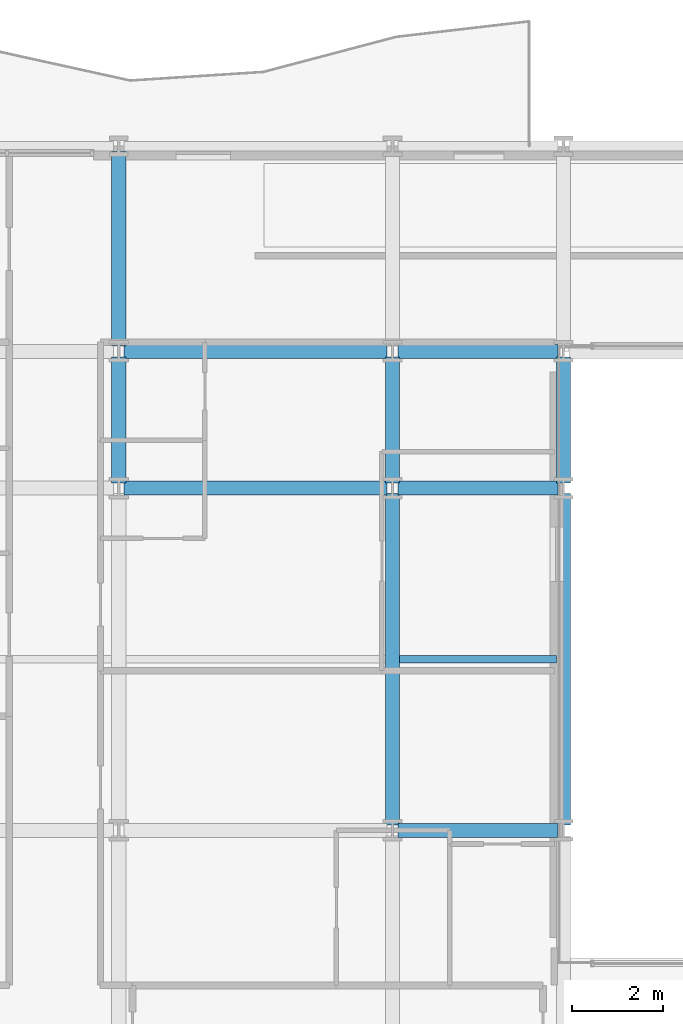
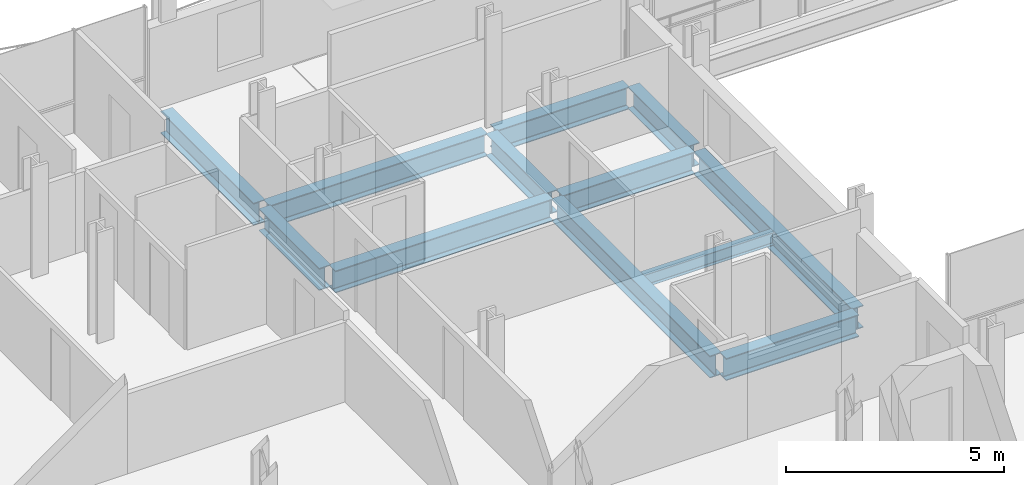
# One storey, part 8 of 41: 12 beams.
"""IFC4 building model written with IfcOpenShell, lengths in metres."""

from ifc_helpers import new_model, si_unit, direction, frame, origin, origin_2d, place, context, subcontext, project, spatial, i_section, extrude, material, material_profile, profile_set, type_object, element, save


model = new_model("IFC4")

# Units and contexts
model_context = context("Model", 3, precision=1e-05, world=origin(), true_north=direction((0.0, 1.0)))
body_context = subcontext(model_context, "Body", "Model", "MODEL_VIEW")
ifc_project = project(units=[si_unit("LENGTHUNIT", "METRE"), si_unit("AREAUNIT", "SQUARE_METRE"), si_unit("VOLUMEUNIT", "CUBIC_METRE"), si_unit("PLANEANGLEUNIT", "RADIAN"), si_unit("MASSUNIT", "GRAM", prefix="KILO")], contexts=[model_context])

# Site, building, storey
site_placement = place(None, origin())
site = spatial("IfcSite", under=ifc_project, at=site_placement, CompositionType="ELEMENT")
building_placement = place(site_placement, origin())
building = spatial("IfcBuilding", under=site, at=building_placement, Name="Brevholm Reach", CompositionType="ELEMENT")
storey_placement = place(building_placement, frame((0.0, 0.0, 49.699951171875)))
storey = spatial("IfcBuildingStorey", under=building, at=storey_placement, Name="L13", CompositionType="ELEMENT", Elevation=49.699951171875)

# Beams
ifc_material_1 = material(Name="Structural Steel S355J2", Category="steel")
ifc_material_profile_1 = material_profile(ifc_material_1, i_section(OverallWidth=0.17138671875, OverallDepth=0.35498046875, WebThickness=0.00732421875, FlangeThickness=0.011474609375, FilletRadius=0.01025390625, at=origin_2d()), Name="UKB 356x171x51")
ifc_profile_set_1 = profile_set([ifc_material_profile_1], Name="Structural Steel S355J2")
beam_type_1 = type_object("IfcBeamType", Name="BM-B356", PredefinedType="BEAM", material=ifc_profile_set_1)
beam_1_placement = place(storey_placement, frame((18.153564453125, 19.75, -0.407470703125), z_axis=(1.0, 0.0, 0.0), x_axis=(0.0, 1.0, 0.0)))
element("IfcBeam", 1, at=beam_1_placement, inside=storey, type_object=beam_type_1, Name="L13 Composite Secondary Floor Beam", PredefinedType="BEAM", context=body_context, shape_type="SweptSolid", body=[
    extrude(i_section(OverallWidth=0.17138671875, OverallDepth=0.35498046875, WebThickness=0.00732421875, FlangeThickness=0.011474609375, FilletRadius=0.01025390625, at=origin_2d()), origin(), (0.0, 0.0, 1.0), 3.44287109375),
])
ifc_material_2 = material(Name="Structural Steel S355J2", Category="steel")
ifc_material_profile_2 = material_profile(ifc_material_2, i_section(OverallWidth=0.30712890625, OverallDepth=0.6201171875, WebThickness=0.01416015625, FlangeThickness=0.023681640625, FilletRadius=0.0166015625, at=origin_2d()), Name="UKB 610x305x179")
ifc_profile_set_2 = profile_set([ifc_material_profile_2], Name="Structural Steel S355J2")
beam_type_2 = type_object("IfcBeamType", Name="BM-UKB610H", PredefinedType="USERDEFINED", material=ifc_profile_set_2)
beam_2_placement = place(storey_placement, frame((18.1201171875, 16.0, -0.5400390625), z_axis=(1.0, 0.0, 0.0), x_axis=(0.0, 1.0, 0.0)))
element("IfcBeam", 2, at=beam_2_placement, inside=storey, type_object=beam_type_2, Name="L13 G-06 Framing Beam", ObjectType="GIRDER", PredefinedType="USERDEFINED", context=body_context, shape_type="SweptSolid", body=[
    extrude(i_section(OverallWidth=0.30712890625, OverallDepth=0.6201171875, WebThickness=0.01416015625, FlangeThickness=0.023681640625, FilletRadius=0.0166015625, at=origin_2d()), origin(), (0.0, 0.0, 1.0), 3.509765625),
])
beam_3_placement = place(storey_placement, frame((12.1201171875, 23.5, -0.5400390625), z_axis=(1.0, 0.0, 0.0), x_axis=(0.0, 1.0, 0.0)))
element("IfcBeam", 3, at=beam_3_placement, inside=storey, type_object=beam_type_2, Name="L13 G-06 Framing Beam", ObjectType="GIRDER", PredefinedType="USERDEFINED", context=body_context, shape_type="SweptSolid", body=[
    extrude(i_section(OverallWidth=0.30712890625, OverallDepth=0.6201171875, WebThickness=0.01416015625, FlangeThickness=0.023681640625, FilletRadius=0.0166015625, at=origin_2d()), origin(), (0.0, 0.0, 1.0), 5.759765625),
])
beam_4_placement = place(storey_placement, frame((18.1201171875, 23.5, -0.5400390625), z_axis=(1.0, 0.0, 0.0), x_axis=(0.0, 1.0, 0.0)))
element("IfcBeam", 4, at=beam_4_placement, inside=storey, type_object=beam_type_2, Name="L13 G-06 Framing Beam", ObjectType="GIRDER", PredefinedType="USERDEFINED", context=body_context, shape_type="SweptSolid", body=[
    extrude(i_section(OverallWidth=0.30712890625, OverallDepth=0.6201171875, WebThickness=0.01416015625, FlangeThickness=0.023681640625, FilletRadius=0.0166015625, at=origin_2d()), origin(), (0.0, 0.0, 1.0), 3.509765625),
])
beam_5_placement = place(storey_placement, frame((12.1201171875, 26.5, -0.5400390625), z_axis=(1.0, 0.0, 0.0), x_axis=(0.0, 1.0, 0.0)))
element("IfcBeam", 5, at=beam_5_placement, inside=storey, type_object=beam_type_2, Name="L13 G-06 Framing Beam", ObjectType="GIRDER", PredefinedType="USERDEFINED", context=body_context, shape_type="SweptSolid", body=[
    extrude(i_section(OverallWidth=0.30712890625, OverallDepth=0.6201171875, WebThickness=0.01416015625, FlangeThickness=0.023681640625, FilletRadius=0.0166015625, at=origin_2d()), origin(), (0.0, 0.0, 1.0), 5.759765625),
])
beam_6_placement = place(storey_placement, frame((18.1201171875, 26.5, -0.5400390625), z_axis=(1.0, 0.0, 0.0), x_axis=(0.0, 1.0, 0.0)))
element("IfcBeam", 6, at=beam_6_placement, inside=storey, type_object=beam_type_2, Name="L13 G-06 Framing Beam", ObjectType="GIRDER", PredefinedType="USERDEFINED", context=body_context, shape_type="SweptSolid", body=[
    extrude(i_section(OverallWidth=0.30712890625, OverallDepth=0.6201171875, WebThickness=0.01416015625, FlangeThickness=0.023681640625, FilletRadius=0.0166015625, at=origin_2d()), origin(), (0.0, 0.0, 1.0), 3.509765625),
])
beam_7_placement = place(storey_placement, frame((12.0, 23.6201171875, -0.5400390625), z_axis=(0.0, 1.0, 0.0), x_axis=(-1.0, 0.0, 0.0)))
element("IfcBeam", 7, at=beam_7_placement, inside=storey, type_object=beam_type_2, Name="L13 G-06 Framing Beam", ObjectType="GIRDER", PredefinedType="USERDEFINED", context=body_context, shape_type="SweptSolid", body=[
    extrude(i_section(OverallWidth=0.30712890625, OverallDepth=0.6201171875, WebThickness=0.01416015625, FlangeThickness=0.023681640625, FilletRadius=0.0166015625, at=origin_2d()), origin(), (0.0, 0.0, 1.0), 2.759765625),
])
beam_8_placement = place(storey_placement, frame((12.0, 26.6201171875, -0.5400390625), z_axis=(0.0, 1.0, 0.0), x_axis=(-1.0, 0.0, 0.0)))
element("IfcBeam", 8, at=beam_8_placement, inside=storey, type_object=beam_type_2, Name="L13 G-06 Framing Beam", ObjectType="GIRDER", PredefinedType="USERDEFINED", context=body_context, shape_type="SweptSolid", body=[
    extrude(i_section(OverallWidth=0.30712890625, OverallDepth=0.6201171875, WebThickness=0.01416015625, FlangeThickness=0.023681640625, FilletRadius=0.0166015625, at=origin_2d()), origin(), (0.0, 0.0, 1.0), 4.259765625),
])
beam_9_placement = place(storey_placement, frame((18.0, 16.1201171875, -0.5400390625), z_axis=(0.0, 1.0, 0.0), x_axis=(-1.0, 0.0, 0.0)))
element("IfcBeam", 9, at=beam_9_placement, inside=storey, type_object=beam_type_2, Name="L13 G-06 Framing Beam", ObjectType="GIRDER", PredefinedType="USERDEFINED", context=body_context, shape_type="SweptSolid", body=[
    extrude(i_section(OverallWidth=0.30712890625, OverallDepth=0.6201171875, WebThickness=0.01416015625, FlangeThickness=0.023681640625, FilletRadius=0.0166015625, at=origin_2d()), origin(), (0.0, 0.0, 1.0), 7.259765625),
])
beam_10_placement = place(storey_placement, frame((18.0, 23.6201171875, -0.5400390625), z_axis=(0.0, 1.0, 0.0), x_axis=(-1.0, 0.0, 0.0)))
element("IfcBeam", 10, at=beam_10_placement, inside=storey, type_object=beam_type_2, Name="L13 G-06 Framing Beam", ObjectType="GIRDER", PredefinedType="USERDEFINED", context=body_context, shape_type="SweptSolid", body=[
    extrude(i_section(OverallWidth=0.30712890625, OverallDepth=0.6201171875, WebThickness=0.01416015625, FlangeThickness=0.023681640625, FilletRadius=0.0166015625, at=origin_2d()), origin(), (0.0, 0.0, 1.0), 2.759765625),
])
beam_11_placement = place(storey_placement, frame((21.75, 16.1201171875, -0.5400390625), z_axis=(0.0, 1.0, 0.0), x_axis=(-1.0, 0.0, 0.0)))
element("IfcBeam", 11, at=beam_11_placement, inside=storey, type_object=beam_type_2, Name="L13 G-06 Framing Beam", ObjectType="GIRDER", PredefinedType="USERDEFINED", context=body_context, shape_type="SweptSolid", body=[
    extrude(i_section(OverallWidth=0.30712890625, OverallDepth=0.6201171875, WebThickness=0.01416015625, FlangeThickness=0.023681640625, FilletRadius=0.0166015625, at=origin_2d()), origin(), (0.0, 0.0, 1.0), 7.259765625),
])
beam_12_placement = place(storey_placement, frame((21.75, 23.6201171875, -0.5400390625), z_axis=(0.0, 1.0, 0.0), x_axis=(-1.0, 0.0, 0.0)))
element("IfcBeam", 12, at=beam_12_placement, inside=storey, type_object=beam_type_2, Name="L13 G-06 Framing Beam", ObjectType="GIRDER", PredefinedType="USERDEFINED", context=body_context, shape_type="SweptSolid", body=[
    extrude(i_section(OverallWidth=0.30712890625, OverallDepth=0.6201171875, WebThickness=0.01416015625, FlangeThickness=0.023681640625, FilletRadius=0.0166015625, at=origin_2d()), origin(), (0.0, 0.0, 1.0), 2.759765625),
])

save(model, "model.ifc")
